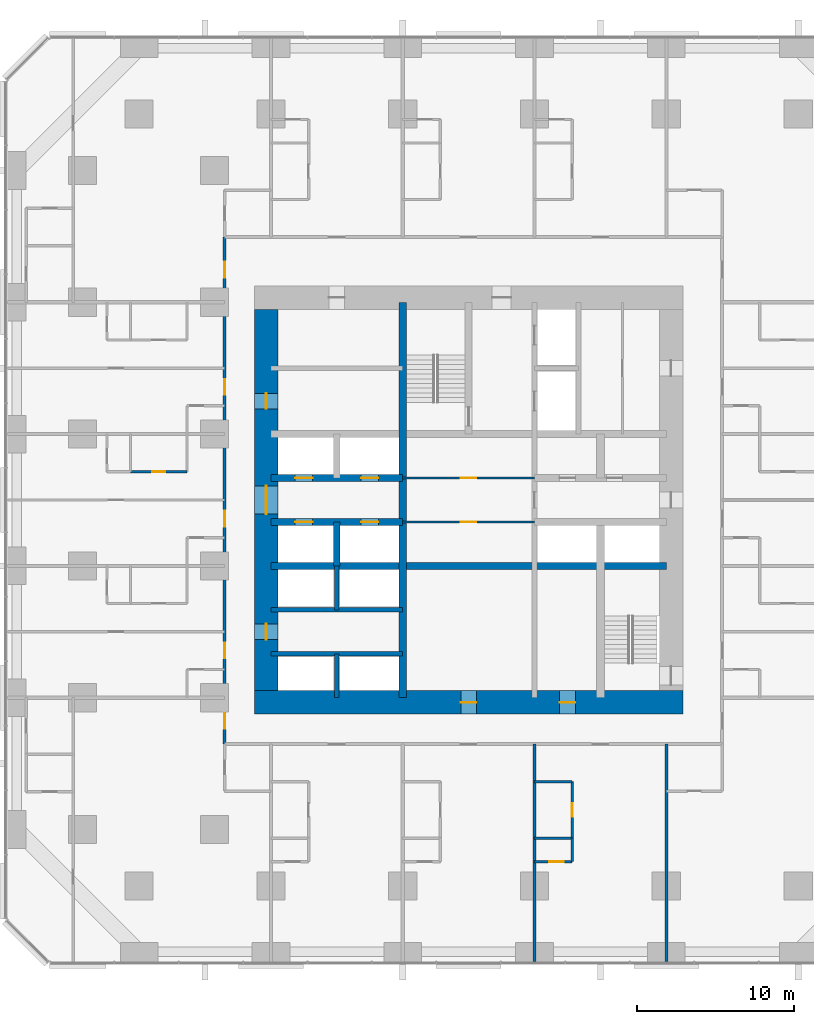
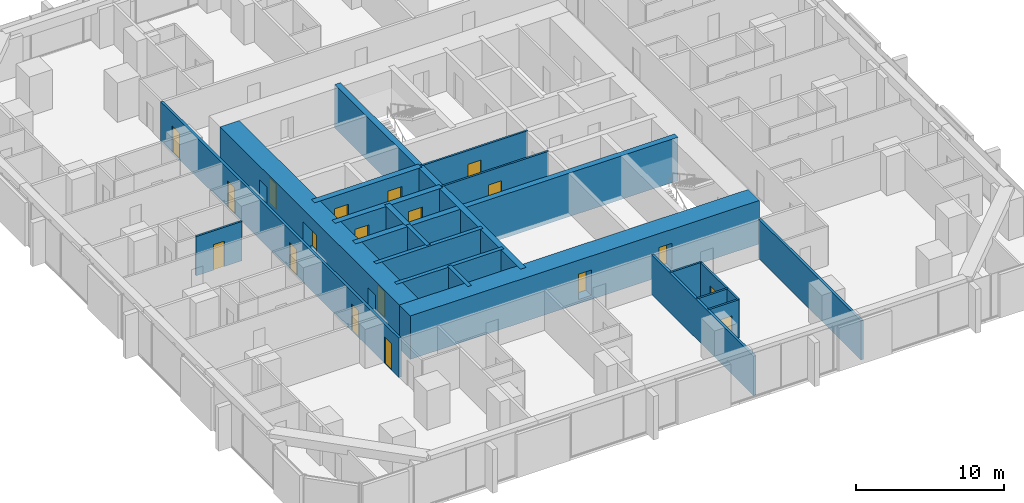
# One storey, part 12 of 17: 22 walls, 19 doors, 19 openings.
"""IFC4 building model written with IfcOpenShell, lengths in metres."""

from ifc_helpers import new_model, si_unit, direction, frame, frame_2d, origin, place, context, subcontext, project, spatial, rectangle, extrude, material, layer, layer_set, type_object, element, fill, save


model = new_model("IFC4")

# Units and contexts
model_context = context("Model", 3, precision=1e-05, world=origin(), true_north=direction((0.0, 1.0)))
body_context = subcontext(model_context, "Body", "Model", "MODEL_VIEW")
ifc_project = project(units=[si_unit("LENGTHUNIT", "METRE"), si_unit("AREAUNIT", "SQUARE_METRE"), si_unit("VOLUMEUNIT", "CUBIC_METRE"), si_unit("PLANEANGLEUNIT", "RADIAN"), si_unit("MASSUNIT", "GRAM", prefix="KILO")], contexts=[model_context])

# Site, building, storey
site_placement = place(None, origin())
site = spatial("IfcSite", under=ifc_project, at=site_placement, CompositionType="ELEMENT")
building_placement = place(site_placement, origin())
building = spatial("IfcBuilding", under=site, at=building_placement, Name="Dunama Terrace Hotel", CompositionType="ELEMENT")
storey_placement = place(building_placement, frame((0.0, 0.0, 59.39990234375)))
storey = spatial("IfcBuildingStorey", under=building, at=storey_placement, Name="L14", CompositionType="ELEMENT", Elevation=59.39990234375)

# Wall, opening, door
ifc_material_1 = material(Name="Gypsum board partition", Category="masonry")
ifc_layer_1 = layer(ifc_material_1, 0.14990234375)
ifc_layer_set_1 = layer_set([ifc_layer_1], Name="Bathroom partition 150")
wall_type_1 = type_object("IfcWallType", Name="Bathroom partition 150", PredefinedType="PARTITIONING", material=ifc_layer_set_1)
wall_1_placement = place(storey_placement, frame((36.0, 7.85009765625, 0.0), z_axis=(0.0, 0.0, 1.0), x_axis=(0.0, 1.0, 0.0)))
wall_1 = element("IfcWall", 1, at=wall_1_placement, inside=storey, type_object=wall_type_1, Name="Bathroom partition 150 L14", PredefinedType="PARTITIONING", context=body_context, shape_type="SweptSolid", body=[
    extrude(rectangle(XDim=3.599853515625, YDim=0.14990234375, at=frame_2d((1.7998046875, 0.0))), origin(), (0.0, 0.0, 1.0), 3.25),
])
opening_1_placement = place(wall_1_placement, frame((1.375, 0.0, 0.0)))
opening_1 = element("IfcOpeningElement", 2, at=opening_1_placement, cuts=wall_1, Name="Opening L13-14-016", PredefinedType="OPENING", context=body_context, shape_type="SweptSolid", body=[
    extrude(rectangle(XDim=0.85009765625, YDim=2.10009765625, at=frame_2d((0.425048828125, 1.050048828125))), frame((0.0, 0.0849609375, 0.0), z_axis=(0.0, -1.0, 0.0), x_axis=(1.0, 0.0, 0.0)), (0.0, 0.0, 1.0), 0.169921875),
])
ifc_material_2 = material(Name="Timber door with steel frame", Category="steel")
door_type_1 = type_object("IfcDoorType", Name="Bathroom door 850", OperationType="SINGLE_SWING_LEFT", PredefinedType="DOOR", material=ifc_material_2)
door_1_placement = place(opening_1_placement, origin())
door_1 = element("IfcDoor", 3, at=door_1_placement, inside=storey, type_object=door_type_1, Name="Door to en-suite bathroom L13-14-016, type D2", OperationType="SINGLE_SWING_LEFT", OverallHeight=2.10009765625, OverallWidth=0.85009765625, PredefinedType="DOOR", context=body_context, shape_type="SweptSolid", body=[
    extrude(rectangle(XDim=0.85009765625, YDim=2.10009765625, at=frame_2d((0.425048828125, 1.050048828125))), frame((0.0, 0.02490234375, 0.0), z_axis=(0.0, -1.0, 0.0), x_axis=(1.0, 0.0, 0.0)), (0.0, 0.0, 1.0), 0.050048828125),
])
fill(opening_1, door_1)

# Wall
wall_2_placement = place(storey_placement, frame((33.60009765625, 11.449951171875, 0.0), z_axis=(0.0, 0.0, 1.0), x_axis=(1.0, 0.0, 0.0)))
element("IfcWall", 4, at=wall_2_placement, inside=storey, type_object=wall_type_1, Name="Bathroom partition 150 L14", PredefinedType="PARTITIONING", context=body_context, shape_type="SweptSolid", body=[
    extrude(rectangle(XDim=2.39990234375, YDim=0.14990234375, at=frame_2d((1.199951171875, 0.0))), origin(), (0.0, 0.0, 1.0), 3.25),
])

# Wall, opening, door
wall_3_placement = place(storey_placement, frame((7.85009765625, 31.199951171875, 0.0), z_axis=(0.0, 0.0, 1.0), x_axis=(1.0, 0.0, 0.0)))
wall_3 = element("IfcWall", 5, at=wall_3_placement, inside=storey, type_object=wall_type_1, Name="Bathroom partition 150 L14", PredefinedType="PARTITIONING", context=body_context, shape_type="SweptSolid", body=[
    extrude(rectangle(XDim=3.599853515625, YDim=0.14990234375, at=frame_2d((1.7998046875, 0.0))), origin(), (0.0, 0.0, 1.0), 3.25),
])
opening_2_placement = place(wall_3_placement, frame((1.375, 0.0, 0.0)))
opening_2 = element("IfcOpeningElement", 6, at=opening_2_placement, cuts=wall_3, Name="Opening L13-14-050", PredefinedType="OPENING", context=body_context, shape_type="SweptSolid", body=[
    extrude(rectangle(XDim=0.85009765625, YDim=2.10009765625, at=frame_2d((0.425048828125, 1.050048828125))), frame((0.0, 0.0849609375, 0.0), z_axis=(0.0, -1.0, 0.0), x_axis=(1.0, 0.0, 0.0)), (0.0, 0.0, 1.0), 0.169921875),
])
door_2_placement = place(opening_2_placement, origin())
door_2 = element("IfcDoor", 7, at=door_2_placement, inside=storey, type_object=door_type_1, Name="Door to en-suite bathroom L13-14-050, type D2", OperationType="SINGLE_SWING_LEFT", OverallHeight=2.10009765625, OverallWidth=0.85009765625, PredefinedType="DOOR", context=body_context, shape_type="SweptSolid", body=[
    extrude(rectangle(XDim=0.85009765625, YDim=2.10009765625, at=frame_2d((0.425048828125, 1.050048828125))), frame((0.0, 0.02490234375, 0.0), z_axis=(0.0, -1.0, 0.0), x_axis=(1.0, 0.0, 0.0)), (0.0, 0.0, 1.0), 0.050048828125),
])
fill(opening_2, door_2)

# Walls
ifc_material_3 = material(Name="Concrete C50/60", Category="concrete")
ifc_layer_2 = layer(ifc_material_3, 0.300048828125)
ifc_layer_set_2 = layer_set([ifc_layer_2], Name="Core inner wall 300")
wall_type_2 = type_object("IfcWallType", Name="Core inner wall 300", PredefinedType="SHEAR", material=ifc_layer_set_2)
for number, where, z_axis, x_axis, name in (
    (8, (21.0, 16.800048828125, -0.349853515625), (0.0, 0.0, 1.0), (0.0, 1.0, 0.0), "Core inner wall 300 L14"),
    (9, (21.0, 22.39990234375, -0.349853515625), (0.0, 0.0, 1.0), (0.0, 1.0, 0.0), "Core inner wall 300 L14"),
):
    element("IfcWall", number, at=place(storey_placement, frame(where, z_axis=z_axis, x_axis=x_axis)), inside=storey, type_object=wall_type_2, Name=name, PredefinedType="SHEAR", context=body_context, shape_type="SweptSolid", body=[
        extrude(rectangle(XDim=2.800048828125, YDim=0.300048828125, at=frame_2d((1.39990234375, 0.0))), origin(), (0.0, 0.0, 1.0), 3.599853515625),
    ])
for number, where, z_axis, x_axis, name in (
    (10, (16.800048828125, 19.60009765625, -0.349853515625), (0.0, 0.0, 1.0), (1.0, 0.0, 0.0), "Core inner wall 300 L14"),
    (11, (16.800048828125, 22.39990234375, -0.349853515625), (0.0, 0.0, 1.0), (1.0, 0.0, 0.0), "Core inner wall 300 L14"),
):
    element("IfcWall", number, at=place(storey_placement, frame(where, z_axis=z_axis, x_axis=x_axis)), inside=storey, type_object=wall_type_2, Name=name, PredefinedType="SHEAR", context=body_context, shape_type="SweptSolid", body=[
        extrude(rectangle(XDim=8.39990234375, YDim=0.300048828125, at=frame_2d((4.199951171875, 0.0))), origin(), (0.0, 0.0, 1.0), 3.599853515625),
    ])
ifc_material_4 = material(Name="Concrete C50/60", Category="concrete")
ifc_layer_3 = layer(ifc_material_4, 0.39990234375)
ifc_layer_set_3 = layer_set([ifc_layer_3], Name="Core inner wall 400")
wall_type_3 = type_object("IfcWallType", Name="Core inner wall 400", PredefinedType="SHEAR", material=ifc_layer_set_3)
wall_4_placement = place(storey_placement, frame((21.0, 25.199951171875, -0.349853515625), z_axis=(0.0, 0.0, 1.0), x_axis=(0.0, 1.0, 0.0)))
element("IfcWall", 12, at=wall_4_placement, inside=storey, type_object=wall_type_3, Name="Core inner wall 400 L14", PredefinedType="SHEAR", context=body_context, shape_type="SweptSolid", body=[
    extrude(rectangle(XDim=2.800048828125, YDim=0.39990234375, at=frame_2d((1.39990234375, 0.0))), origin(), (0.0, 0.0, 1.0), 3.599853515625),
])
ifc_material_5 = material(Name="Concrete C50/60", Category="concrete")
ifc_layer_4 = layer(ifc_material_5, 0.449951171875)
ifc_layer_set_4 = layer_set([ifc_layer_4], Name="Core inner wall 450")
wall_type_4 = type_object("IfcWallType", Name="Core inner wall 450", PredefinedType="SHEAR", material=ifc_layer_set_4)
for number, where, z_axis, x_axis, name in (
    (13, (25.199951171875, 16.800048828125, -0.349853515625), (0.0, 0.0, 1.0), (0.0, 1.0, 0.0), "Core inner wall 450 L14"),
    (14, (16.800048828125, 25.199951171875, -0.349853515625), (0.0, 0.0, 1.0), (1.0, 0.0, 0.0), "Core inner wall 450 L14"),
):
    element("IfcWall", number, at=place(storey_placement, frame(where, z_axis=z_axis, x_axis=x_axis)), inside=storey, type_object=wall_type_4, Name=name, PredefinedType="SHEAR", context=body_context, shape_type="SweptSolid", body=[
        extrude(rectangle(XDim=25.199951171875, YDim=0.449951171875, at=frame_2d((12.60009765625, 0.0))), origin(), (0.0, 0.0, 1.0), 3.599853515625),
    ])

# Wall, openings, doors
wall_5_placement = place(storey_placement, frame((16.800048828125, 28.0, -0.349853515625), z_axis=(0.0, 0.0, 1.0), x_axis=(1.0, 0.0, 0.0)))
wall_5 = element("IfcWall", 15, at=wall_5_placement, inside=storey, type_object=wall_type_4, Name="Core inner wall 450 L14", PredefinedType="SHEAR", context=body_context, shape_type="SweptSolid", body=[
    extrude(rectangle(XDim=8.39990234375, YDim=0.449951171875, at=frame_2d((4.199951171875, 0.0))), origin(), (0.0, 0.0, 1.0), 3.599853515625),
])
opening_3_placement = place(wall_5_placement, frame((1.550048828125, 0.0, 0.35009765625)))
opening_3 = element("IfcOpeningElement", 16, at=opening_3_placement, cuts=wall_5, Name="Opening L13-14-003", PredefinedType="OPENING", context=body_context, shape_type="SweptSolid", body=[
    extrude(rectangle(XDim=1.10009765625, YDim=2.199951171875, at=frame_2d((0.550048828125, 1.10009765625))), frame((0.0, 0.23486328125, 0.0), z_axis=(0.0, -1.0, 0.0), x_axis=(1.0, 0.0, 0.0)), (0.0, 0.0, 1.0), 0.469970703125),
])
opening_4_placement = place(wall_5_placement, frame((5.75, 0.0, 0.35009765625)))
opening_4 = element("IfcOpeningElement", 17, at=opening_4_placement, cuts=wall_5, Name="Opening L13-14-004", PredefinedType="OPENING", context=body_context, shape_type="SweptSolid", body=[
    extrude(rectangle(XDim=1.10009765625, YDim=2.199951171875, at=frame_2d((0.550048828125, 1.10009765625))), frame((0.0, 0.23486328125, 0.0), z_axis=(0.0, -1.0, 0.0), x_axis=(1.0, 0.0, 0.0)), (0.0, 0.0, 1.0), 0.469970703125),
])
ifc_material_6 = material(Name="Stainless steel lift door", Category="steel")
door_type_2 = type_object("IfcDoorType", Name="Lift landing door 1100", OperationType="DOUBLE_DOOR_SLIDING", PredefinedType="DOOR", material=ifc_material_6)
door_3_placement = place(opening_3_placement, origin())
door_3 = element("IfcDoor", 18, at=door_3_placement, inside=storey, type_object=door_type_2, Name="Landing door PA1 L13-14-003, type LD1", OperationType="DOUBLE_DOOR_SLIDING", OverallHeight=2.199951171875, OverallWidth=1.10009765625, PredefinedType="DOOR", context=body_context, shape_type="SweptSolid", body=[
    extrude(rectangle(XDim=1.10009765625, YDim=2.199951171875, at=frame_2d((0.550048828125, 1.10009765625))), frame((0.0, 0.02490234375, 0.0), z_axis=(0.0, -1.0, 0.0), x_axis=(1.0, 0.0, 0.0)), (0.0, 0.0, 1.0), 0.050048828125),
])
fill(opening_3, door_3)
door_4_placement = place(opening_4_placement, origin())
door_4 = element("IfcDoor", 19, at=door_4_placement, inside=storey, type_object=door_type_2, Name="Landing door PA2 L13-14-004, type LD1", OperationType="DOUBLE_DOOR_SLIDING", OverallHeight=2.199951171875, OverallWidth=1.10009765625, PredefinedType="DOOR", context=body_context, shape_type="SweptSolid", body=[
    extrude(rectangle(XDim=1.10009765625, YDim=2.199951171875, at=frame_2d((0.550048828125, 1.10009765625))), frame((0.0, 0.02490234375, 0.0), z_axis=(0.0, -1.0, 0.0), x_axis=(1.0, 0.0, 0.0)), (0.0, 0.0, 1.0), 0.050048828125),
])
fill(opening_4, door_4)

wall_6_placement = place(storey_placement, frame((16.800048828125, 30.800048828125, -0.349853515625), z_axis=(0.0, 0.0, 1.0), x_axis=(1.0, 0.0, 0.0)))
wall_6 = element("IfcWall", 20, at=wall_6_placement, inside=storey, type_object=wall_type_4, Name="Core inner wall 450 L14", PredefinedType="SHEAR", context=body_context, shape_type="SweptSolid", body=[
    extrude(rectangle(XDim=8.39990234375, YDim=0.449951171875, at=frame_2d((4.199951171875, 0.0))), origin(), (0.0, 0.0, 1.0), 3.599853515625),
])
opening_5_placement = place(wall_6_placement, frame((1.550048828125, 0.0, 0.35009765625)))
opening_5 = element("IfcOpeningElement", 21, at=opening_5_placement, cuts=wall_6, Name="Opening L13-14-005", PredefinedType="OPENING", context=body_context, shape_type="SweptSolid", body=[
    extrude(rectangle(XDim=1.10009765625, YDim=2.199951171875, at=frame_2d((0.550048828125, 1.10009765625))), frame((0.0, 0.23486328125, 0.0), z_axis=(0.0, -1.0, 0.0), x_axis=(1.0, 0.0, 0.0)), (0.0, 0.0, 1.0), 0.469970703125),
])
opening_6_placement = place(wall_6_placement, frame((5.75, 0.0, 0.35009765625)))
opening_6 = element("IfcOpeningElement", 22, at=opening_6_placement, cuts=wall_6, Name="Opening L13-14-006", PredefinedType="OPENING", context=body_context, shape_type="SweptSolid", body=[
    extrude(rectangle(XDim=1.10009765625, YDim=2.199951171875, at=frame_2d((0.550048828125, 1.10009765625))), frame((0.0, 0.23486328125, 0.0), z_axis=(0.0, -1.0, 0.0), x_axis=(1.0, 0.0, 0.0)), (0.0, 0.0, 1.0), 0.469970703125),
])
door_5_placement = place(opening_5_placement, origin())
door_5 = element("IfcDoor", 23, at=door_5_placement, inside=storey, type_object=door_type_2, Name="Landing door PA3 L13-14-005, type LD1", OperationType="DOUBLE_DOOR_SLIDING", OverallHeight=2.199951171875, OverallWidth=1.10009765625, PredefinedType="DOOR", context=body_context, shape_type="SweptSolid", body=[
    extrude(rectangle(XDim=1.10009765625, YDim=2.199951171875, at=frame_2d((0.550048828125, 1.10009765625))), frame((0.0, 0.02490234375, 0.0), z_axis=(0.0, -1.0, 0.0), x_axis=(1.0, 0.0, 0.0)), (0.0, 0.0, 1.0), 0.050048828125),
])
fill(opening_5, door_5)
door_6_placement = place(opening_6_placement, origin())
door_6 = element("IfcDoor", 24, at=door_6_placement, inside=storey, type_object=door_type_2, Name="Landing door PA4 L13-14-006, type LD1", OperationType="DOUBLE_DOOR_SLIDING", OverallHeight=2.199951171875, OverallWidth=1.10009765625, PredefinedType="DOOR", context=body_context, shape_type="SweptSolid", body=[
    extrude(rectangle(XDim=1.10009765625, YDim=2.199951171875, at=frame_2d((0.550048828125, 1.10009765625))), frame((0.0, 0.02490234375, 0.0), z_axis=(0.0, -1.0, 0.0), x_axis=(1.0, 0.0, 0.0)), (0.0, 0.0, 1.0), 0.050048828125),
])
fill(opening_6, door_6)

ifc_material_7 = material(Name="Concrete C60/75", Category="concrete")
ifc_layer_5 = layer(ifc_material_7, 1.5)
ifc_layer_set_5 = layer_set([ifc_layer_5], Name="Core wall 1500")
wall_type_5 = type_object("IfcWallType", Name="Core wall 1500", PredefinedType="SHEAR", material=ifc_layer_set_5)
wall_7_placement = place(storey_placement, frame((15.75, 16.5, -0.349853515625), z_axis=(0.0, 0.0, 1.0), x_axis=(1.0, 0.0, 0.0)))
wall_7 = element("IfcWall", 25, at=wall_7_placement, inside=storey, type_object=wall_type_5, Name="Core wall south L14", PredefinedType="SHEAR", context=body_context, shape_type="SweptSolid", body=[
    extrude(rectangle(XDim=27.300048828125, YDim=1.5, at=frame_2d((13.64990234375, 0.0))), origin(), (0.0, 0.0, 1.0), 3.599853515625),
])
opening_7_placement = place(wall_7_placement, frame((13.14990234375, 0.0, 0.35009765625)))
opening_7 = element("IfcOpeningElement", 26, at=opening_7_placement, cuts=wall_7, Name="Opening L13-14-090", PredefinedType="OPENING", context=body_context, shape_type="SweptSolid", body=[
    extrude(rectangle(XDim=1.0, YDim=2.10009765625, at=frame_2d((0.5, 1.050048828125))), frame((0.0, 0.760009765625, 0.0), z_axis=(0.0, -1.0, 0.0), x_axis=(1.0, 0.0, 0.0)), (0.0, 0.0, 1.0), 1.52001953125),
])
opening_8_placement = place(wall_7_placement, frame((19.449951171875, 0.0, 0.35009765625)))
opening_8 = element("IfcOpeningElement", 27, at=opening_8_placement, cuts=wall_7, Name="Opening L13-14-091", PredefinedType="OPENING", context=body_context, shape_type="SweptSolid", body=[
    extrude(rectangle(XDim=1.0, YDim=2.10009765625, at=frame_2d((0.5, 1.050048828125))), frame((0.0, 0.760009765625, 0.0), z_axis=(0.0, -1.0, 0.0), x_axis=(1.0, 0.0, 0.0)), (0.0, 0.0, 1.0), 1.52001953125),
])
ifc_material_8 = material(Name="Timber door with steel frame", Category="steel")
door_type_3 = type_object("IfcDoorType", Name="Service door 1000", OperationType="SINGLE_SWING_LEFT", PredefinedType="DOOR", material=ifc_material_8)
door_7_placement = place(opening_7_placement, origin())
door_7 = element("IfcDoor", 28, at=door_7_placement, inside=storey, type_object=door_type_3, Name="Door to corridor air handling room L13-14-090, type D7", OperationType="SINGLE_SWING_LEFT", OverallHeight=2.10009765625, OverallWidth=1.0, PredefinedType="DOOR", context=body_context, shape_type="SweptSolid", body=[
    extrude(rectangle(XDim=1.0, YDim=2.10009765625, at=frame_2d((0.5, 1.050048828125))), frame((0.0, 0.02490234375, 0.0), z_axis=(0.0, -1.0, 0.0), x_axis=(1.0, 0.0, 0.0)), (0.0, 0.0, 1.0), 0.050048828125),
])
fill(opening_7, door_7)
door_8_placement = place(opening_8_placement, origin())
door_8 = element("IfcDoor", 29, at=door_8_placement, inside=storey, type_object=door_type_3, Name="Door to water riser room L13-14-091, type D7", OperationType="SINGLE_SWING_RIGHT", OverallHeight=2.10009765625, OverallWidth=1.0, PredefinedType="DOOR", context=body_context, shape_type="SweptSolid", body=[
    extrude(rectangle(XDim=1.0, YDim=2.10009765625, at=frame_2d((0.5, 1.050048828125))), frame((0.0, 0.02490234375, 0.0), z_axis=(0.0, -1.0, 0.0), x_axis=(1.0, 0.0, 0.0)), (0.0, 0.0, 1.0), 0.050048828125),
])
fill(opening_8, door_8)

wall_8_placement = place(storey_placement, frame((16.5, 41.550048828125, -0.349853515625), z_axis=(0.0, 0.0, 1.0), x_axis=(0.0, -1.0, 0.0)))
wall_8 = element("IfcWall", 30, at=wall_8_placement, inside=storey, type_object=wall_type_5, Name="Core wall west L14", PredefinedType="SHEAR", context=body_context, shape_type="SweptSolid", body=[
    extrude(rectangle(XDim=24.300048828125, YDim=1.5, at=frame_2d((12.14990234375, 0.0))), origin(), (0.0, 0.0, 1.0), 3.599853515625),
])
opening_9_placement = place(wall_8_placement, frame((11.25, 0.0, 0.35009765625)))
opening_9 = element("IfcOpeningElement", 31, at=opening_9_placement, cuts=wall_8, Name="Opening L13-14-077", PredefinedType="OPENING", context=body_context, shape_type="SweptSolid", body=[
    extrude(rectangle(XDim=1.800048828125, YDim=2.199951171875, at=frame_2d((0.89990234375, 1.10009765625))), frame((0.0, 0.760009765625, 0.0), z_axis=(0.0, -1.0, 0.0), x_axis=(1.0, 0.0, 0.0)), (0.0, 0.0, 1.0), 1.52001953125),
])
opening_10_placement = place(wall_8_placement, frame((20.050048828125, 0.0, 0.35009765625)))
opening_10 = element("IfcOpeningElement", 32, at=opening_10_placement, cuts=wall_8, Name="Opening L13-14-078", PredefinedType="OPENING", context=body_context, shape_type="SweptSolid", body=[
    extrude(rectangle(XDim=1.0, YDim=2.10009765625, at=frame_2d((0.5, 1.050048828125))), frame((0.0, 0.760009765625, 0.0), z_axis=(0.0, -1.0, 0.0), x_axis=(1.0, 0.0, 0.0)), (0.0, 0.0, 1.0), 1.52001953125),
])
opening_11_placement = place(wall_8_placement, frame((5.35009765625, 0.0, 0.35009765625)))
opening_11 = element("IfcOpeningElement", 33, at=opening_11_placement, cuts=wall_8, Name="Opening L13-14-079", PredefinedType="OPENING", context=body_context, shape_type="SweptSolid", body=[
    extrude(rectangle(XDim=1.0, YDim=2.10009765625, at=frame_2d((0.5, 1.050048828125))), frame((0.0, 0.760009765625, 0.0), z_axis=(0.0, -1.0, 0.0), x_axis=(1.0, 0.0, 0.0)), (0.0, 0.0, 1.0), 1.52001953125),
])
ifc_material_9 = material(Name="Timber door with steel frame", Category="steel")
door_type_4 = type_object("IfcDoorType", Name="Lift lobby double door 1800", OperationType="DOUBLE_DOOR_DOUBLE_SWING", PredefinedType="DOOR", material=ifc_material_9)
door_9_placement = place(opening_9_placement, origin())
door_9 = element("IfcDoor", 34, at=door_9_placement, inside=storey, type_object=door_type_4, Name="Door to lift lobby L13-14-077, type D3", OperationType="DOUBLE_DOOR_DOUBLE_SWING", OverallHeight=2.199951171875, OverallWidth=1.800048828125, PredefinedType="DOOR", context=body_context, shape_type="SweptSolid", body=[
    extrude(rectangle(XDim=1.800048828125, YDim=2.199951171875, at=frame_2d((0.89990234375, 1.10009765625))), frame((0.0, 0.02490234375, 0.0), z_axis=(0.0, -1.0, 0.0), x_axis=(1.0, 0.0, 0.0)), (0.0, 0.0, 1.0), 0.050048828125),
])
fill(opening_9, door_9)
door_10_placement = place(opening_10_placement, origin())
door_10 = element("IfcDoor", 35, at=door_10_placement, inside=storey, type_object=door_type_3, Name="Door to service lobby L13-14-078, type D7", OperationType="SINGLE_SWING_RIGHT", OverallHeight=2.10009765625, OverallWidth=1.0, PredefinedType="DOOR", context=body_context, shape_type="SweptSolid", body=[
    extrude(rectangle(XDim=1.0, YDim=2.10009765625, at=frame_2d((0.5, 1.050048828125))), frame((0.0, 0.02490234375, 0.0), z_axis=(0.0, -1.0, 0.0), x_axis=(1.0, 0.0, 0.0)), (0.0, 0.0, 1.0), 0.050048828125),
])
fill(opening_10, door_10)
door_11_placement = place(opening_11_placement, origin())
door_11 = element("IfcDoor", 36, at=door_11_placement, inside=storey, type_object=door_type_3, Name="Door to electrical room L13-14-079, type D7", OperationType="SINGLE_SWING_RIGHT", OverallHeight=2.10009765625, OverallWidth=1.0, PredefinedType="DOOR", context=body_context, shape_type="SweptSolid", body=[
    extrude(rectangle(XDim=1.0, YDim=2.10009765625, at=frame_2d((0.5, 1.050048828125))), frame((0.0, 0.02490234375, 0.0), z_axis=(0.0, -1.0, 0.0), x_axis=(1.0, 0.0, 0.0)), (0.0, 0.0, 1.0), 0.050048828125),
])
fill(opening_11, door_11)

ifc_material_10 = material(Name="Concrete blockwork", Category="masonry")
ifc_layer_6 = layer(ifc_material_10, 0.199951171875)
ifc_layer_set_6 = layer_set([ifc_layer_6], Name="Corridor partition 200")
wall_type_6 = type_object("IfcWallType", Name="Corridor partition 200", PredefinedType="PARTITIONING", material=ifc_layer_set_6)
wall_9_placement = place(storey_placement, frame((13.85009765625, 13.85009765625, 0.0), z_axis=(0.0, 0.0, 1.0), x_axis=(0.0, 1.0, 0.0)))
wall_9 = element("IfcWall", 37, at=wall_9_placement, inside=storey, type_object=wall_type_6, Name="Corridor partition 200 L14", PredefinedType="PARTITIONING", context=body_context, shape_type="SweptSolid", body=[
    extrude(rectangle(XDim=32.2998046875, YDim=0.199951171875, at=frame_2d((16.14990234375, 0.0))), origin(), (0.0, 0.0, 1.0), 3.25),
])
opening_12_placement = place(wall_9_placement, frame((5.449951171875, 0.0, 0.0)))
opening_12 = element("IfcOpeningElement", 38, at=opening_12_placement, cuts=wall_9, Name="Opening L13-14-042", PredefinedType="OPENING", context=body_context, shape_type="SweptSolid", body=[
    extrude(rectangle(XDim=1.0, YDim=2.199951171875, at=frame_2d((0.5, 1.10009765625))), frame((0.0, 0.10986328125, 0.0), z_axis=(0.0, -1.0, 0.0), x_axis=(1.0, 0.0, 0.0)), (0.0, 0.0, 1.0), 0.219970703125),
])
opening_13_placement = place(wall_9_placement, frame((13.85009765625, 0.0, 0.0)))
opening_13 = element("IfcOpeningElement", 39, at=opening_13_placement, cuts=wall_9, Name="Opening L13-14-047", PredefinedType="OPENING", context=body_context, shape_type="SweptSolid", body=[
    extrude(rectangle(XDim=1.0, YDim=2.199951171875, at=frame_2d((0.5, 1.10009765625))), frame((0.0, 0.10986328125, 0.0), z_axis=(0.0, -1.0, 0.0), x_axis=(1.0, 0.0, 0.0)), (0.0, 0.0, 1.0), 0.219970703125),
])
opening_14_placement = place(wall_9_placement, frame((22.25, 0.0, 0.0)))
opening_14 = element("IfcOpeningElement", 40, at=opening_14_placement, cuts=wall_9, Name="Opening L13-14-052", PredefinedType="OPENING", context=body_context, shape_type="SweptSolid", body=[
    extrude(rectangle(XDim=1.0, YDim=2.199951171875, at=frame_2d((0.5, 1.10009765625))), frame((0.0, 0.10986328125, 0.0), z_axis=(0.0, -1.0, 0.0), x_axis=(1.0, 0.0, 0.0)), (0.0, 0.0, 1.0), 0.219970703125),
])
opening_15_placement = place(wall_9_placement, frame((0.97509765625, 0.0, 0.0)))
opening_15 = element("IfcOpeningElement", 41, at=opening_15_placement, cuts=wall_9, Name="Opening L13-14-057", PredefinedType="OPENING", context=body_context, shape_type="SweptSolid", body=[
    extrude(rectangle(XDim=1.0, YDim=2.199951171875, at=frame_2d((0.5, 1.10009765625))), frame((0.0, 0.10986328125, 0.0), z_axis=(0.0, -1.0, 0.0), x_axis=(1.0, 0.0, 0.0)), (0.0, 0.0, 1.0), 0.219970703125),
])
opening_16_placement = place(wall_9_placement, frame((29.72509765625, 0.0, 0.0)))
opening_16 = element("IfcOpeningElement", 42, at=opening_16_placement, cuts=wall_9, Name="Opening L13-14-072", PredefinedType="OPENING", context=body_context, shape_type="SweptSolid", body=[
    extrude(rectangle(XDim=1.0, YDim=2.199951171875, at=frame_2d((0.5, 1.10009765625))), frame((0.0, 0.10986328125, 0.0), z_axis=(0.0, -1.0, 0.0), x_axis=(1.0, 0.0, 0.0)), (0.0, 0.0, 1.0), 0.219970703125),
])
ifc_material_11 = material(Name="Timber door with steel frame", Category="steel")
door_type_5 = type_object("IfcDoorType", Name="Guest room door 1000", OperationType="SINGLE_SWING_LEFT", PredefinedType="DOOR", material=ifc_material_11)
door_12_placement = place(opening_12_placement, origin())
door_12 = element("IfcDoor", 43, at=door_12_placement, inside=storey, type_object=door_type_5, Name="Door to executive suite living room L13-14-042, type D1", OperationType="SINGLE_SWING_LEFT", OverallHeight=2.199951171875, OverallWidth=1.0, PredefinedType="DOOR", context=body_context, shape_type="SweptSolid", body=[
    extrude(rectangle(XDim=1.0, YDim=2.199951171875, at=frame_2d((0.5, 1.10009765625))), frame((0.0, 0.02490234375, 0.0), z_axis=(0.0, -1.0, 0.0), x_axis=(1.0, 0.0, 0.0)), (0.0, 0.0, 1.0), 0.050048828125),
])
fill(opening_12, door_12)
door_13_placement = place(opening_13_placement, origin())
door_13 = element("IfcDoor", 44, at=door_13_placement, inside=storey, type_object=door_type_5, Name="Door to executive suite living room L13-14-047, type D1", OperationType="SINGLE_SWING_LEFT", OverallHeight=2.199951171875, OverallWidth=1.0, PredefinedType="DOOR", context=body_context, shape_type="SweptSolid", body=[
    extrude(rectangle(XDim=1.0, YDim=2.199951171875, at=frame_2d((0.5, 1.10009765625))), frame((0.0, 0.02490234375, 0.0), z_axis=(0.0, -1.0, 0.0), x_axis=(1.0, 0.0, 0.0)), (0.0, 0.0, 1.0), 0.050048828125),
])
fill(opening_13, door_13)
door_14_placement = place(opening_14_placement, origin())
door_14 = element("IfcDoor", 45, at=door_14_placement, inside=storey, type_object=door_type_5, Name="Door to executive suite living room L13-14-052, type D1", OperationType="SINGLE_SWING_RIGHT", OverallHeight=2.199951171875, OverallWidth=1.0, PredefinedType="DOOR", context=body_context, shape_type="SweptSolid", body=[
    extrude(rectangle(XDim=1.0, YDim=2.199951171875, at=frame_2d((0.5, 1.10009765625))), frame((0.0, 0.02490234375, 0.0), z_axis=(0.0, -1.0, 0.0), x_axis=(1.0, 0.0, 0.0)), (0.0, 0.0, 1.0), 0.050048828125),
])
fill(opening_14, door_14)
door_15_placement = place(opening_15_placement, origin())
door_15 = element("IfcDoor", 46, at=door_15_placement, inside=storey, type_object=door_type_5, Name="Door to corner suite living room L13-14-057, type D1", OperationType="SINGLE_SWING_RIGHT", OverallHeight=2.199951171875, OverallWidth=1.0, PredefinedType="DOOR", context=body_context, shape_type="SweptSolid", body=[
    extrude(rectangle(XDim=1.0, YDim=2.199951171875, at=frame_2d((0.5, 1.10009765625))), frame((0.0, 0.02490234375, 0.0), z_axis=(0.0, -1.0, 0.0), x_axis=(1.0, 0.0, 0.0)), (0.0, 0.0, 1.0), 0.050048828125),
])
fill(opening_15, door_15)
door_16_placement = place(opening_16_placement, origin())
door_16 = element("IfcDoor", 47, at=door_16_placement, inside=storey, type_object=door_type_5, Name="Door to corner suite living room L13-14-072, type D1", OperationType="SINGLE_SWING_LEFT", OverallHeight=2.199951171875, OverallWidth=1.0, PredefinedType="DOOR", context=body_context, shape_type="SweptSolid", body=[
    extrude(rectangle(XDim=1.0, YDim=2.199951171875, at=frame_2d((0.5, 1.10009765625))), frame((0.0, 0.02490234375, 0.0), z_axis=(0.0, -1.0, 0.0), x_axis=(1.0, 0.0, 0.0)), (0.0, 0.0, 1.0), 0.050048828125),
])
fill(opening_16, door_16)

# Walls
ifc_material_12 = material(Name="Concrete blockwork", Category="masonry")
ifc_layer_7 = layer(ifc_material_12, 0.199951171875)
ifc_layer_set_7 = layer_set([ifc_layer_7], Name="Party wall 200")
wall_type_7 = type_object("IfcWallType", Name="Party wall 200", PredefinedType="PARTITIONING", material=ifc_layer_set_7)
for number, where, z_axis, x_axis, name in (
    (48, (33.60009765625, -0.008056640625, 0.0), (0.0, 0.0, 1.0), (0.0, 1.0, 0.0), "Party wall 200 L14"),
    (49, (42.0, -0.008056640625, 0.0), (0.0, 0.0, 1.0), (0.0, 1.0, 0.0), "Party wall 200 L14"),
):
    element("IfcWall", number, at=place(storey_placement, frame(where, z_axis=z_axis, x_axis=x_axis)), inside=storey, type_object=wall_type_7, Name=name, PredefinedType="PARTITIONING", context=body_context, shape_type="SweptSolid", body=[
        extrude(rectangle(XDim=13.858154296875, YDim=0.199951171875, at=frame_2d((6.92919921875, 0.0))), origin(), (0.0, 0.0, 1.0), 3.25),
    ])
ifc_material_13 = material(Name="Gypsum board partition", Category="masonry")
ifc_layer_8 = layer(ifc_material_13, 0.14990234375)
ifc_layer_set_8 = layer_set([ifc_layer_8], Name="Room partition 150")
wall_type_8 = type_object("IfcWallType", Name="Room partition 150", PredefinedType="PARTITIONING", material=ifc_layer_set_8)
wall_10_placement = place(storey_placement, frame((36.0, 6.35009765625, 0.0), z_axis=(0.0, 0.0, 1.0), x_axis=(0.0, 1.0, 0.0)))
element("IfcWall", 50, at=wall_10_placement, inside=storey, type_object=wall_type_8, Name="Room partition 150 L14", PredefinedType="PARTITIONING", context=body_context, shape_type="SweptSolid", body=[
    extrude(rectangle(XDim=1.5, YDim=0.14990234375, at=frame_2d((0.75, 0.0))), origin(), (0.0, 0.0, 1.0), 3.25),
])

# Wall, opening, door
wall_11_placement = place(storey_placement, frame((33.60009765625, 6.35009765625, 0.0), z_axis=(0.0, 0.0, 1.0), x_axis=(1.0, 0.0, 0.0)))
wall_11 = element("IfcWall", 51, at=wall_11_placement, inside=storey, type_object=wall_type_8, Name="Room partition 150 L14", PredefinedType="PARTITIONING", context=body_context, shape_type="SweptSolid", body=[
    extrude(rectangle(XDim=2.39990234375, YDim=0.14990234375, at=frame_2d((1.199951171875, 0.0))), origin(), (0.0, 0.0, 1.0), 3.25),
])
opening_17_placement = place(wall_11_placement, frame((0.949951171875, 0.0, 0.0)))
opening_17 = element("IfcOpeningElement", 52, at=opening_17_placement, cuts=wall_11, Name="Opening L13-14-017", PredefinedType="OPENING", context=body_context, shape_type="SweptSolid", body=[
    extrude(rectangle(XDim=0.89990234375, YDim=2.10009765625, at=frame_2d((0.449951171875, 1.050048828125))), frame((0.0, 0.0849609375, 0.0), z_axis=(0.0, -1.0, 0.0), x_axis=(1.0, 0.0, 0.0)), (0.0, 0.0, 1.0), 0.169921875),
])
ifc_material_14 = material(Name="Timber door with steel frame", Category="steel")
door_type_6 = type_object("IfcDoorType", Name="Suite internal door 900", OperationType="SINGLE_SWING_LEFT", PredefinedType="DOOR", material=ifc_material_14)
door_17_placement = place(opening_17_placement, origin())
door_17 = element("IfcDoor", 53, at=door_17_placement, inside=storey, type_object=door_type_6, Name="Door to walk-in wardrobe L13-14-017, type D16", OperationType="SINGLE_SWING_RIGHT", OverallHeight=2.10009765625, OverallWidth=0.89990234375, PredefinedType="DOOR", context=body_context, shape_type="SweptSolid", body=[
    extrude(rectangle(XDim=0.89990234375, YDim=2.10009765625, at=frame_2d((0.449951171875, 1.050048828125))), frame((0.0, 0.02490234375, 0.0), z_axis=(0.0, -1.0, 0.0), x_axis=(1.0, 0.0, 0.0)), (0.0, 0.0, 1.0), 0.050048828125),
])
fill(opening_17, door_17)

# Wall
wall_12_placement = place(storey_placement, frame((33.60009765625, 7.85009765625, 0.0), z_axis=(0.0, 0.0, 1.0), x_axis=(1.0, 0.0, 0.0)))
element("IfcWall", 54, at=wall_12_placement, inside=storey, type_object=wall_type_8, Name="Room partition 150 L14", PredefinedType="PARTITIONING", context=body_context, shape_type="SweptSolid", body=[
    extrude(rectangle(XDim=2.39990234375, YDim=0.14990234375, at=frame_2d((1.199951171875, 0.0))), origin(), (0.0, 0.0, 1.0), 3.25),
])

# Wall, opening, door
wall_13_placement = place(storey_placement, frame((25.199951171875, 28.0, 0.0), z_axis=(0.0, 0.0, 1.0), x_axis=(1.0, 0.0, 0.0)))
wall_13 = element("IfcWall", 55, at=wall_13_placement, inside=storey, type_object=wall_type_8, Name="Room partition 150 L14", PredefinedType="PARTITIONING", context=body_context, shape_type="SweptSolid", body=[
    extrude(rectangle(XDim=8.400146484375, YDim=0.14990234375, at=frame_2d((4.2001953125, 0.0))), origin(), (0.0, 0.0, 1.0), 3.25),
])
opening_18_placement = place(wall_13_placement, frame((3.699951171875, 0.0, 0.0)))
opening_18 = element("IfcOpeningElement", 56, at=opening_18_placement, cuts=wall_13, Name="Opening L13-14-082", PredefinedType="OPENING", context=body_context, shape_type="SweptSolid", body=[
    extrude(rectangle(XDim=1.0, YDim=2.10009765625, at=frame_2d((0.5, 1.050048828125))), frame((0.0, 0.0849609375, 0.0), z_axis=(0.0, -1.0, 0.0), x_axis=(1.0, 0.0, 0.0)), (0.0, 0.0, 1.0), 0.169921875),
])
door_18_placement = place(opening_18_placement, frame((1.0, 0.0, 0.0), z_axis=(0.0, 0.0, 1.0), x_axis=(-1.0, 0.0, 0.0)))
door_18 = element("IfcDoor", 57, at=door_18_placement, inside=storey, type_object=door_type_3, Name="Door to linen and housekeeping room L13-14-082, type D7", OperationType="SINGLE_SWING_RIGHT", OverallHeight=2.10009765625, OverallWidth=1.0, PredefinedType="DOOR", context=body_context, shape_type="SweptSolid", body=[
    extrude(rectangle(XDim=1.0, YDim=2.10009765625, at=frame_2d((0.5, 1.050048828125))), frame((0.0, 0.025146484375, 0.0), z_axis=(0.0, -1.0, 0.0), x_axis=(1.0, 0.0, 0.0)), (0.0, 0.0, 1.0), 0.050048828125),
])
fill(opening_18, door_18)

wall_14_placement = place(storey_placement, frame((25.199951171875, 30.800048828125, 0.0), z_axis=(0.0, 0.0, 1.0), x_axis=(1.0, 0.0, 0.0)))
wall_14 = element("IfcWall", 58, at=wall_14_placement, inside=storey, type_object=wall_type_8, Name="Room partition 150 L14", PredefinedType="PARTITIONING", context=body_context, shape_type="SweptSolid", body=[
    extrude(rectangle(XDim=8.400146484375, YDim=0.14990234375, at=frame_2d((4.2001953125, 0.0))), origin(), (0.0, 0.0, 1.0), 3.25),
])
opening_19_placement = place(wall_14_placement, frame((3.699951171875, 0.0, 0.0)))
opening_19 = element("IfcOpeningElement", 59, at=opening_19_placement, cuts=wall_14, Name="Opening L13-14-083", PredefinedType="OPENING", context=body_context, shape_type="SweptSolid", body=[
    extrude(rectangle(XDim=1.0, YDim=2.10009765625, at=frame_2d((0.5, 1.050048828125))), frame((0.0, 0.0849609375, 0.0), z_axis=(0.0, -1.0, 0.0), x_axis=(1.0, 0.0, 0.0)), (0.0, 0.0, 1.0), 0.169921875),
])
door_19_placement = place(opening_19_placement, origin())
door_19 = element("IfcDoor", 60, at=door_19_placement, inside=storey, type_object=door_type_3, Name="Door to staff break room L13-14-083, type D7", OperationType="SINGLE_SWING_LEFT", OverallHeight=2.10009765625, OverallWidth=1.0, PredefinedType="DOOR", context=body_context, shape_type="SweptSolid", body=[
    extrude(rectangle(XDim=1.0, YDim=2.10009765625, at=frame_2d((0.5, 1.050048828125))), frame((0.0, 0.02490234375, 0.0), z_axis=(0.0, -1.0, 0.0), x_axis=(1.0, 0.0, 0.0)), (0.0, 0.0, 1.0), 0.050048828125),
])
fill(opening_19, door_19)

save(model, "model.ifc")
